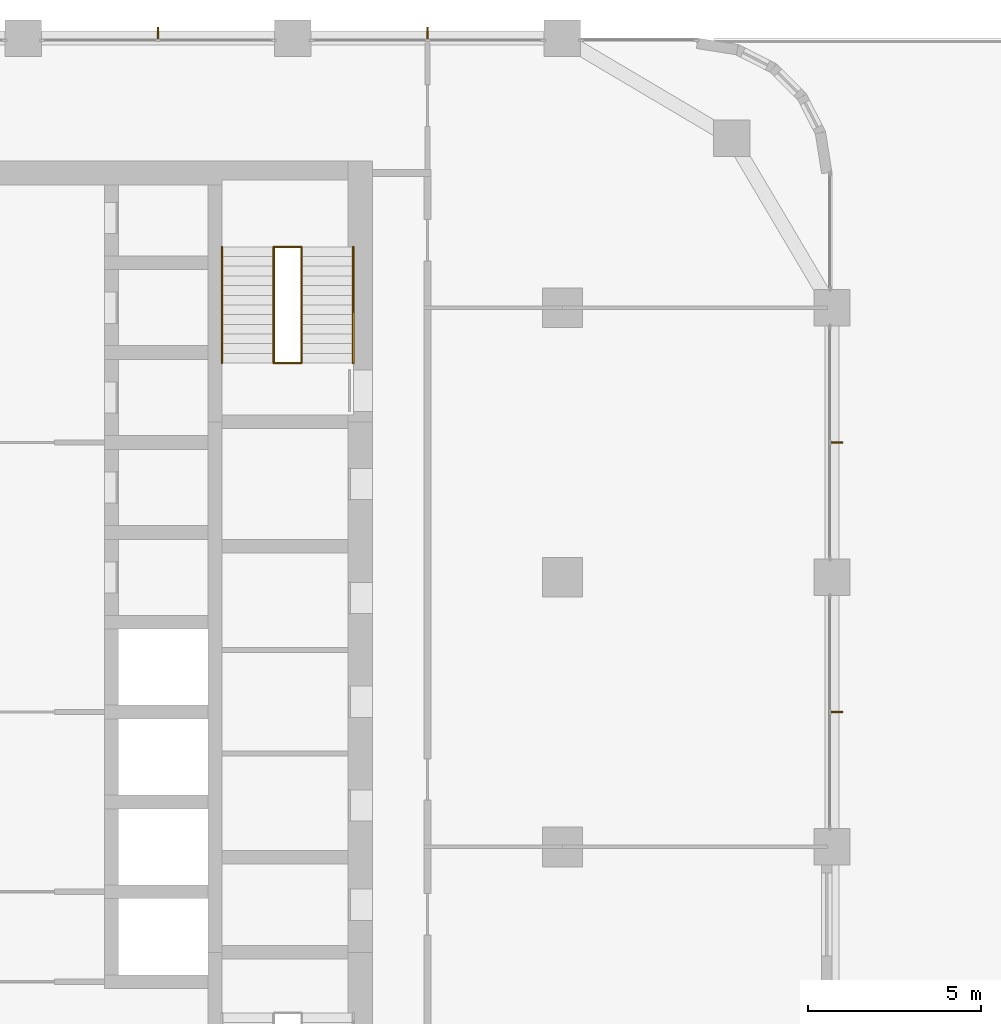
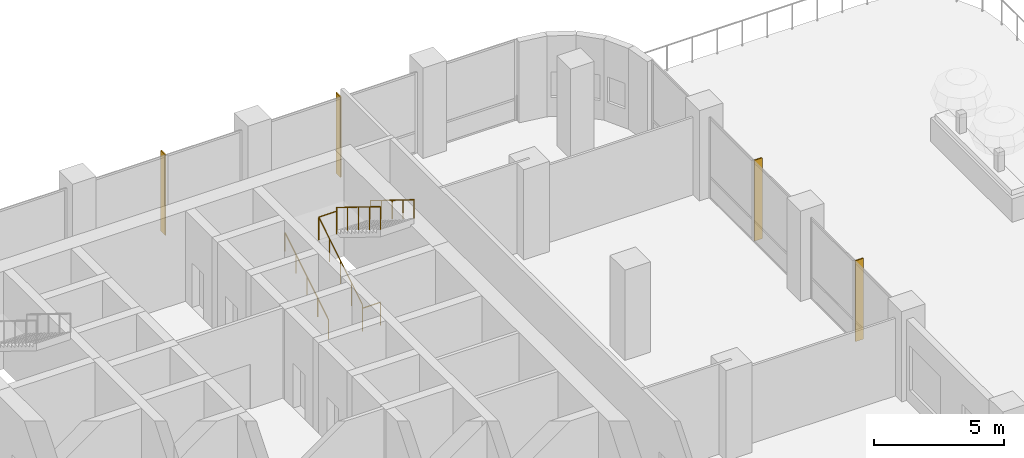
# One storey, part 24 of 31: 6 railings, 4 shading devices, 1 element without a shape of its own.
"""IFC4 building model written with IfcOpenShell, lengths in metres."""

from ifc_helpers import new_model, si_unit, direction, frame, origin, origin_2d, place, context, subcontext, project, spatial, rectangle, circle, extrude, material, layer, layer_set, type_object, element, aggregate, save


model = new_model("IFC4")

# Units and contexts
model_context = context("Model", 3, precision=1e-05, world=origin(), true_north=direction((0.0, 1.0)))
body_context = subcontext(model_context, "Body", "Model", "MODEL_VIEW")
ifc_project = project(units=[si_unit("LENGTHUNIT", "METRE"), si_unit("AREAUNIT", "SQUARE_METRE"), si_unit("VOLUMEUNIT", "CUBIC_METRE"), si_unit("PLANEANGLEUNIT", "RADIAN"), si_unit("MASSUNIT", "GRAM", prefix="KILO")], contexts=[model_context])

# Site, building, storey
site_placement = place(None, origin())
site = spatial("IfcSite", under=ifc_project, at=site_placement, CompositionType="ELEMENT")
building_placement = place(site_placement, origin())
building = spatial("IfcBuilding", under=site, at=building_placement, Name="Ludao Terraces", CompositionType="ELEMENT")
storey_placement = place(building_placement, frame((0.0, 0.0, 15.0)))
storey = spatial("IfcBuildingStorey", under=building, at=storey_placement, Name="L03", CompositionType="ELEMENT", Elevation=15.0)

# Shading devices
ifc_material_1 = material(Name="Aluminium 6063-T6", Category="aluminium")
ifc_layer = layer(ifc_material_1, 0.050048828125)
ifc_layer_set = layer_set([ifc_layer], Name="ENV Sun fin 50x350")
shading_device_type = type_object("IfcShadingDeviceType", Name="ENV Sun fin 50x350", PredefinedType="USERDEFINED", material=ifc_layer_set)
for number, where, z_axis, x_axis, name in (
    (1, (108.5400390625, 68.89990234375, 0.0), (0.0, 0.0, 1.0), (1.0, 0.0, 0.0), "FN-CW-L03-E4-1"),
    (2, (108.5400390625, 76.699951171875, 0.0), (0.0, 0.0, 1.0), (1.0, 0.0, 0.0), "FN-CW-L03-E5-1"),
):
    element("IfcShadingDevice", number, at=place(storey_placement, frame(where, z_axis=z_axis, x_axis=x_axis)), inside=storey, type_object=shading_device_type, Name=name, ObjectType="FIN", PredefinedType="USERDEFINED", context=body_context, shape_type="SweptSolid", body=[
        extrude(rectangle(XDim=0.35009765625, YDim=0.050048828125, at=origin_2d()), origin(), (0.0, 0.0, 1.0), 3.800048828125),
    ])
for number, where, z_axis, x_axis, name in (
    (3, (88.89990234375, 88.5400390625, 0.0), (0.0, 0.0, 1.0), (1.0, 0.0, 0.0), "FN-CW-L03-N4-1"),
    (4, (96.699951171875, 88.5400390625, 0.0), (0.0, 0.0, 1.0), (1.0, 0.0, 0.0), "FN-CW-L03-N5-1"),
):
    element("IfcShadingDevice", number, at=place(storey_placement, frame(where, z_axis=z_axis, x_axis=x_axis)), inside=storey, type_object=shading_device_type, Name=name, ObjectType="FIN", PredefinedType="USERDEFINED", context=body_context, shape_type="SweptSolid", body=[
        extrude(rectangle(XDim=0.050048828125, YDim=0.35009765625, at=origin_2d()), origin(), (0.0, 0.0, 1.0), 3.800048828125),
    ])

# Stair, railings
ifc_material_2 = material(Name="Concrete C40", Category="concrete")
stair_type = type_object("IfcStairType", Name="INT Stair", PredefinedType="HALF_TURN_STAIR", material=ifc_material_2)
stair_placement = place(storey_placement, origin())
stair = element("IfcStair", 5, at=stair_placement, inside=storey, type_object=stair_type, Name="EXIT STAIR 2", PredefinedType="HALF_TURN_STAIR")
ifc_material_3 = material(Name="Stainless steel 304", Category="steel")
railing_type_1 = type_object("IfcRailingType", Name="INT Stair guard 1100", PredefinedType="GUARDRAIL", material=ifc_material_3)
railing_1_placement = place(storey_placement, frame((92.25, 79.0, 0.173095703125)))
railing_1 = element("IfcRailing", 6, at=railing_1_placement, type_object=railing_type_1, Name="ST-L03-S2-R1G", PredefinedType="GUARDRAIL", context=body_context, shape_type="SweptSolid", body=[
    extrude(circle(Radius=0.02392578125, at=origin_2d()), frame((0.0, 0.0, 1.076171875), z_axis=(0.0, 0.850623216509, 0.525775754039), x_axis=(-1.0, 0.0, 0.0)), (0.0, 0.0, 1.0), 3.9501953125),
    extrude(circle(Radius=0.02099609375, at=origin_2d()), origin(), (0.0, 0.0, 1.0), 1.052001953125),
    extrude(circle(Radius=0.02099609375, at=origin_2d()), frame((0.0, 0.840087890625, 0.519287109375)), (0.0, 0.0, 1.0), 1.052001953125),
    extrude(circle(Radius=0.02099609375, at=origin_2d()), frame((0.0, 1.68017578125, 1.03857421875)), (0.0, 0.0, 1.0), 1.052001953125),
    extrude(circle(Radius=0.02099609375, at=origin_2d()), frame((0.0, 2.52001953125, 1.5576171875)), (0.0, 0.0, 1.0), 1.052001953125),
    extrude(circle(Radius=0.02099609375, at=origin_2d()), frame((0.0, 3.360107421875, 2.076904296875)), (0.0, 0.0, 1.0), 1.052001953125),
])
railing_2_placement = place(storey_placement, frame((93.050048828125, 82.360107421875, 2.423095703125)))
railing_2 = element("IfcRailing", 7, at=railing_2_placement, type_object=railing_type_1, Name="ST-L03-S2-R2G", PredefinedType="GUARDRAIL", context=body_context, shape_type="SweptSolid", body=[
    extrude(circle(Radius=0.02392578125, at=origin_2d()), frame((0.0, 0.0, 1.076171875), z_axis=(0.0, -0.850623216509, 0.525775754039), x_axis=(1.0, 0.0, 0.0)), (0.0, 0.0, 1.0), 3.9501953125),
    extrude(circle(Radius=0.02099609375, at=origin_2d()), origin(), (0.0, 0.0, 1.0), 1.052001953125),
    extrude(circle(Radius=0.02099609375, at=origin_2d()), frame((0.0, -0.840087890625, 0.519287109375)), (0.0, 0.0, 1.0), 1.052001953125),
    extrude(circle(Radius=0.02099609375, at=origin_2d()), frame((0.0, -1.68017578125, 1.03857421875)), (0.0, 0.0, 1.0), 1.052001953125),
    extrude(circle(Radius=0.02099609375, at=origin_2d()), frame((0.0, -2.52001953125, 1.5576171875)), (0.0, 0.0, 1.0), 1.052001953125),
    extrude(circle(Radius=0.02099609375, at=origin_2d()), frame((0.0, -3.360107421875, 2.076904296875)), (0.0, 0.0, 1.0), 1.052001953125),
])
railing_3_placement = place(storey_placement, frame((92.25, 82.360107421875, 2.25)))
railing_3 = element("IfcRailing", 8, at=railing_3_placement, type_object=railing_type_1, Name="ST-L03-S2-E1G", PredefinedType="GUARDRAIL", context=body_context, shape_type="SweptSolid", body=[
    extrude(circle(Radius=0.02392578125, at=origin_2d()), frame((0.0, 0.0, 1.076171875), z_axis=(1.0, 0.0, 0.0), x_axis=(0.0, 1.0, 0.0)), (0.0, 0.0, 1.0), 0.800048828125),
    extrude(circle(Radius=0.02099609375, at=origin_2d()), origin(), (0.0, 0.0, 1.0), 1.052001953125),
    extrude(circle(Radius=0.02099609375, at=origin_2d()), frame((0.800048828125, 0.0, 0.0)), (0.0, 0.0, 1.0), 1.052001953125),
])
railing_4_placement = place(storey_placement, frame((92.25, 79.0, 0.0)))
railing_4 = element("IfcRailing", 9, at=railing_4_placement, type_object=railing_type_1, Name="ST-L03-S2-E2G", PredefinedType="GUARDRAIL", context=body_context, shape_type="SweptSolid", body=[
    extrude(circle(Radius=0.02392578125, at=origin_2d()), frame((0.0, 0.0, 1.076171875), z_axis=(1.0, 0.0, 0.0), x_axis=(0.0, 1.0, 0.0)), (0.0, 0.0, 1.0), 0.800048828125),
    extrude(circle(Radius=0.02099609375, at=origin_2d()), origin(), (0.0, 0.0, 1.0), 1.052001953125),
    extrude(circle(Radius=0.02099609375, at=origin_2d()), frame((0.800048828125, 0.0, 0.0)), (0.0, 0.0, 1.0), 1.052001953125),
])
railing_type_2 = type_object("IfcRailingType", Name="INT Stair handrail 900", PredefinedType="HANDRAIL", material=ifc_material_3)
railing_5_placement = place(storey_placement, frame((90.75, 79.0, 0.173095703125)))
railing_5 = element("IfcRailing", 10, at=railing_5_placement, type_object=railing_type_2, Name="ST-L03-S2-R1H", PredefinedType="HANDRAIL", context=body_context, shape_type="SweptSolid", body=[
    extrude(circle(Radius=0.02392578125, at=origin_2d()), frame((0.0, 0.0, 0.8759765625), z_axis=(0.0, 0.850623216509, 0.525775754039), x_axis=(-1.0, 0.0, 0.0)), (0.0, 0.0, 1.0), 3.9501953125),
    extrude(circle(Radius=0.02099609375, at=origin_2d()), origin(), (0.0, 0.0, 1.0), 0.851806640625),
    extrude(circle(Radius=0.02099609375, at=origin_2d()), frame((0.0, 0.840087890625, 0.519287109375)), (0.0, 0.0, 1.0), 0.851806640625),
    extrude(circle(Radius=0.02099609375, at=origin_2d()), frame((0.0, 1.68017578125, 1.03857421875)), (0.0, 0.0, 1.0), 0.851806640625),
    extrude(circle(Radius=0.02099609375, at=origin_2d()), frame((0.0, 2.52001953125, 1.5576171875)), (0.0, 0.0, 1.0), 0.851806640625),
    extrude(circle(Radius=0.02099609375, at=origin_2d()), frame((0.0, 3.360107421875, 2.076904296875)), (0.0, 0.0, 1.0), 0.851806640625),
])
railing_6_placement = place(storey_placement, frame((94.550048828125, 82.360107421875, 2.423095703125)))
railing_6 = element("IfcRailing", 11, at=railing_6_placement, type_object=railing_type_2, Name="ST-L03-S2-R2H", PredefinedType="HANDRAIL", context=body_context, shape_type="SweptSolid", body=[
    extrude(circle(Radius=0.02392578125, at=origin_2d()), frame((0.0, 0.0, 0.8759765625), z_axis=(0.0, -0.850623216509, 0.525775754039), x_axis=(1.0, 0.0, 0.0)), (0.0, 0.0, 1.0), 3.9501953125),
    extrude(circle(Radius=0.02099609375, at=origin_2d()), origin(), (0.0, 0.0, 1.0), 0.851806640625),
    extrude(circle(Radius=0.02099609375, at=origin_2d()), frame((0.0, -0.840087890625, 0.519287109375)), (0.0, 0.0, 1.0), 0.851806640625),
    extrude(circle(Radius=0.02099609375, at=origin_2d()), frame((0.0, -1.68017578125, 1.03857421875)), (0.0, 0.0, 1.0), 0.851806640625),
    extrude(circle(Radius=0.02099609375, at=origin_2d()), frame((0.0, -2.52001953125, 1.5576171875)), (0.0, 0.0, 1.0), 0.851806640625),
    extrude(circle(Radius=0.02099609375, at=origin_2d()), frame((0.0, -3.360107421875, 2.076904296875)), (0.0, 0.0, 1.0), 0.851806640625),
])
aggregate(stair, [railing_1, railing_5, railing_2, railing_6, railing_3, railing_4])

save(model, "model.ifc")
